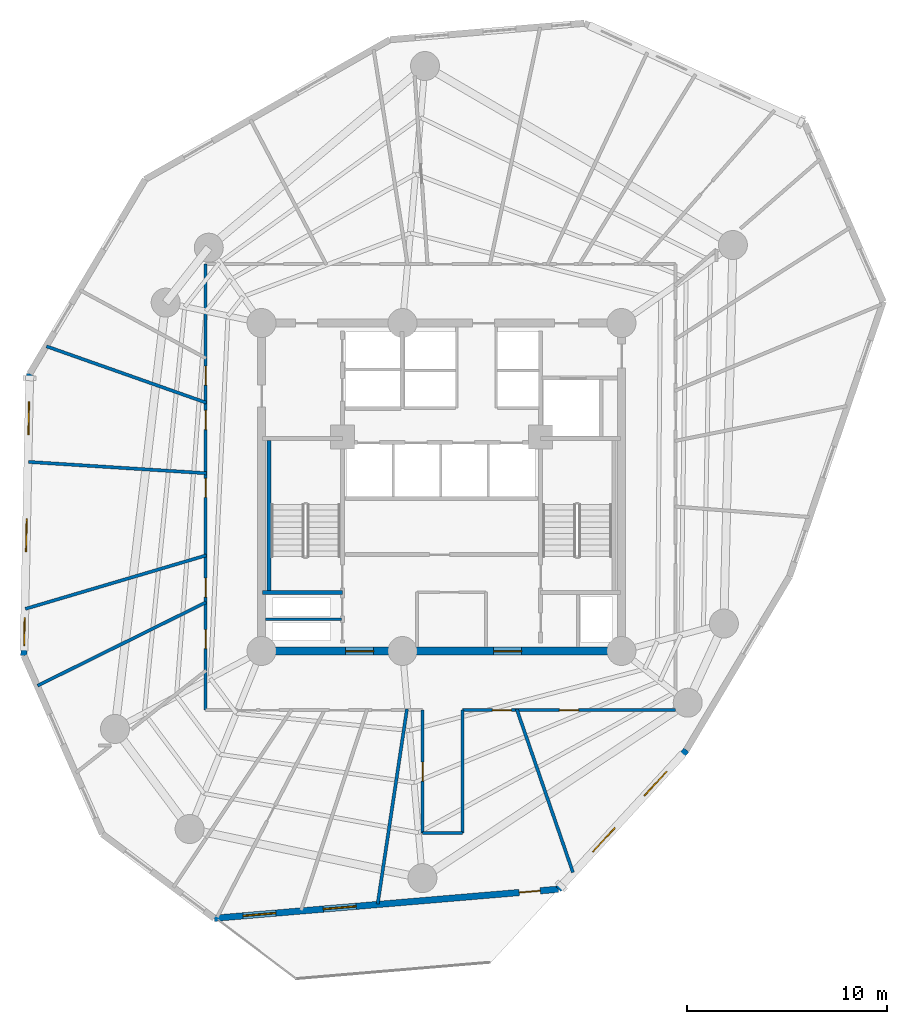
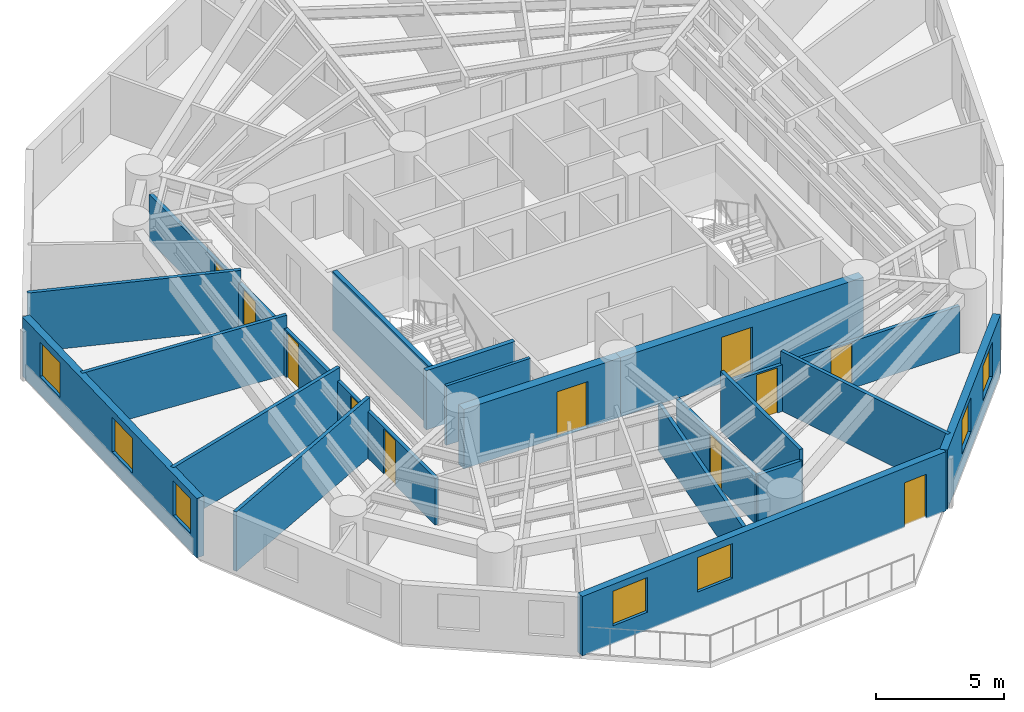
# One storey, part 3 of 10: 19 walls, 11 doors, 7 windows, 18 openings.
"""IFC4 building model written with IfcOpenShell, lengths in metres."""

from ifc_helpers import new_model, si_unit, direction, frame, frame_2d, origin, origin_with_axes, place, context, subcontext, project, spatial, rectangle, extrude, source, transform, mapped, material, layer, layer_set, type_object, element, fill, save


model = new_model("IFC4")

# Units and contexts
model_context = context("Model", 3, precision=1e-05, world=origin(), true_north=direction((0.0, 1.0)))
body_context = subcontext(model_context, "Body", "Model", "MODEL_VIEW")
ifc_project = project(units=[si_unit("LENGTHUNIT", "METRE"), si_unit("AREAUNIT", "SQUARE_METRE"), si_unit("VOLUMEUNIT", "CUBIC_METRE"), si_unit("PLANEANGLEUNIT", "RADIAN"), si_unit("MASSUNIT", "GRAM", prefix="KILO")], contexts=[model_context])

# Site, building, storey
site_placement = place(None, origin())
site = spatial("IfcSite", under=ifc_project, at=site_placement, CompositionType="ELEMENT")
building_placement = place(site_placement, origin())
building = spatial("IfcBuilding", under=site, at=building_placement, Name="Karkom Vertical University and Central Library", CompositionType="ELEMENT")
storey_placement = place(building_placement, frame((0.0, 0.0, 111.449951171875)))
storey = spatial("IfcBuildingStorey", under=building, at=storey_placement, Name="L30", CompositionType="ELEMENT", Elevation=111.449951171875)

# Wall, openings, windows
ifc_material_1 = material(Name="Brick-faced precast concrete C45/55", Category="masonry")
ifc_layer_1 = layer(ifc_material_1, 0.320068359375)
ifc_layer_set_1 = layer_set([ifc_layer_1], Name="Brick-faced precast concrete C45/55")
wall_type_1 = type_object("IfcWallType", Name="ENV-WL-BRK-320", PredefinedType="SOLIDWALL", material=ifc_layer_set_1)
wall_1_placement = place(storey_placement, frame((7.905517578125, 32.163818359375, 0.0), z_axis=(0.0, 0.0, 1.0), x_axis=(-0.020343518734, -0.999793049208, 0.0)))
wall_1 = element("IfcWall", 1, at=wall_1_placement, inside=storey, type_object=wall_type_1, Name="Level 30 Brick-Faced Precast Facade Wall 01", PredefinedType="SOLIDWALL", context=body_context, shape_type="SweptSolid", body=[
    extrude(rectangle(XDim=14.10107421875, YDim=0.320068359375, at=frame_2d((7.050537109375, 0.0))), origin(), (0.0, 0.0, 1.0), 2.824951171875),
])
opening_1_placement = place(wall_1_placement, frame((1.41015625, 0.0, 0.85009765625)))
opening_1 = element("IfcOpeningElement", 2, at=opening_1_placement, cuts=wall_1, Name="Opening WN-06", PredefinedType="OPENING", context=body_context, shape_type="SweptSolid", body=[
    extrude(rectangle(XDim=1.64990234375, YDim=1.64990234375, at=frame_2d((0.824951171875, 0.824951171875))), frame((0.0, 0.169921875, 0.0), z_axis=(0.0, -1.0, 0.0), x_axis=(1.0, 0.0, 0.0)), (0.0, 0.0, 1.0), 0.340087890625),
])
opening_2_placement = place(wall_1_placement, frame((7.25341796875, 0.0, 0.85009765625)))
opening_2 = element("IfcOpeningElement", 3, at=opening_2_placement, cuts=wall_1, Name="Opening WN-06", PredefinedType="OPENING", context=body_context, shape_type="SweptSolid", body=[
    extrude(rectangle(XDim=1.64990234375, YDim=1.64990234375, at=frame_2d((0.824951171875, 0.824951171875))), frame((0.0, 0.169921875, 0.0), z_axis=(0.0, -1.0, 0.0), x_axis=(1.0, 0.0, 0.0)), (0.0, 0.0, 1.0), 0.340087890625),
])
opening_3_placement = place(wall_1_placement, frame((12.193603515625, 0.0, 0.85009765625)))
opening_3 = element("IfcOpeningElement", 4, at=opening_3_placement, cuts=wall_1, Name="Opening WN-07", PredefinedType="OPENING", context=body_context, shape_type="SweptSolid", body=[
    extrude(rectangle(XDim=1.39990234375, YDim=1.64990234375, at=frame_2d((0.699951171875, 0.824951171875))), frame((0.0, 0.169921875, 0.0), z_axis=(0.0, -1.0, 0.0), x_axis=(1.0, 0.0, 0.0)), (0.0, 0.0, 1.0), 0.340087890625),
])
ifc_material_2 = material(Name="Aluminium thermal-break frame with solar-control IGU", Category="aluminium")
window_type_1 = type_object("IfcWindowType", Name="ENV-WIN-WN-06", PartitioningType="SINGLE_PANEL", PredefinedType="WINDOW", material=ifc_material_2)
shared_shape_1 = source(origin_with_axes(), body_context, "Body", "SweptSolid", [
    extrude(rectangle(XDim=1.64990234375, YDim=1.64990234375, at=frame_2d((0.824951171875, 0.824951171875))), frame((0.0, 0.030029296875, 0.0), z_axis=(0.0, -1.0, 0.0), x_axis=(1.0, 0.0, 0.0)), (0.0, 0.0, 1.0), 0.06005859375),
])
window_1_placement = place(opening_1_placement, origin())
window_1 = element("IfcWindow", 5, at=window_1_placement, inside=storey, type_object=window_type_1, Name="Level 30 Punched Window 1.1", OverallHeight=1.64990234375, OverallWidth=1.64990234375, PartitioningType="SINGLE_PANEL", PredefinedType="WINDOW", context=body_context, shape_type="MappedRepresentation", body=[
    mapped(shared_shape_1, transform((0.0, 0.0, 0.0), scale=1.0)),
])
fill(opening_1, window_1)
window_2_placement = place(opening_2_placement, origin())
window_2 = element("IfcWindow", 6, at=window_2_placement, inside=storey, type_object=window_type_1, Name="Level 30 Punched Window 1.2", OverallHeight=1.64990234375, OverallWidth=1.64990234375, PartitioningType="SINGLE_PANEL", PredefinedType="WINDOW", context=body_context, shape_type="MappedRepresentation", body=[
    mapped(shared_shape_1, transform((0.0, 0.0, 0.0), scale=1.0)),
])
fill(opening_2, window_2)
window_type_2 = type_object("IfcWindowType", Name="ENV-WIN-WN-07", PartitioningType="SINGLE_PANEL", PredefinedType="WINDOW", material=ifc_material_2)
shared_shape_2 = source(origin_with_axes(), body_context, "Body", "SweptSolid", [
    extrude(rectangle(XDim=1.39990234375, YDim=1.64990234375, at=frame_2d((0.699951171875, 0.824951171875))), frame((0.0, 0.030029296875, 0.0), z_axis=(0.0, -1.0, 0.0), x_axis=(1.0, 0.0, 0.0)), (0.0, 0.0, 1.0), 0.06005859375),
])
window_3_placement = place(opening_3_placement, origin())
window_3 = element("IfcWindow", 7, at=window_3_placement, inside=storey, type_object=window_type_2, Name="Level 30 Punched Window 1.3", OverallHeight=1.64990234375, OverallWidth=1.39990234375, PartitioningType="SINGLE_PANEL", PredefinedType="WINDOW", context=body_context, shape_type="MappedRepresentation", body=[
    mapped(shared_shape_2, transform((0.0, 0.0, 0.0), scale=1.0)),
])
fill(opening_3, window_3)

# Wall, openings, door, windows
wall_2_placement = place(storey_placement, frame((17.13427734375, 4.935302734375, 0.0), z_axis=(0.0, 0.0, 1.0), x_axis=(0.996451131553, 0.084173288083, 0.0)))
wall_2 = element("IfcWall", 8, at=wall_2_placement, inside=storey, type_object=wall_type_1, Name="Level 30 Brick-Faced Precast Facade Wall 04", PredefinedType="SOLIDWALL", context=body_context, shape_type="SweptSolid", body=[
    extrude(rectangle(XDim=17.269287109375, YDim=0.320068359375, at=frame_2d((8.634765625, 0.0))), origin(), (0.0, 0.0, 1.0), 2.824951171875),
])
opening_4_placement = place(wall_2_placement, frame((1.4462890625, 0.0, 0.85009765625)))
opening_4 = element("IfcOpeningElement", 9, at=opening_4_placement, cuts=wall_2, Name="Opening WN-06", PredefinedType="OPENING", context=body_context, shape_type="SweptSolid", body=[
    extrude(rectangle(XDim=1.64990234375, YDim=1.64990234375, at=frame_2d((0.824951171875, 0.824951171875))), frame((0.0, 0.169921875, 0.0), z_axis=(0.0, -1.0, 0.0), x_axis=(1.0, 0.0, 0.0)), (0.0, 0.0, 1.0), 0.340087890625),
])
opening_5_placement = place(wall_2_placement, frame((5.4697265625, 0.0, 0.85009765625)))
opening_5 = element("IfcOpeningElement", 10, at=opening_5_placement, cuts=wall_2, Name="Opening WN-06", PredefinedType="OPENING", context=body_context, shape_type="SweptSolid", body=[
    extrude(rectangle(XDim=1.64990234375, YDim=1.64990234375, at=frame_2d((0.824951171875, 0.824951171875))), frame((0.0, 0.169921875, 0.0), z_axis=(0.0, -1.0, 0.0), x_axis=(1.0, 0.0, 0.0)), (0.0, 0.0, 1.0), 0.340087890625),
])
opening_6_placement = place(wall_2_placement, frame((15.305419921875, 0.0, 0.0)))
opening_6 = element("IfcOpeningElement", 11, at=opening_6_placement, cuts=wall_2, Name="Opening TD-1", PredefinedType="OPENING", context=body_context, shape_type="SweptSolid", body=[
    extrude(rectangle(XDim=1.050048828125, YDim=2.1201171875, at=frame_2d((0.52490234375, 1.06005859375))), frame((0.0, 0.169921875, 0.0), z_axis=(0.0, -1.0, 0.0), x_axis=(1.0, 0.0, 0.0)), (0.0, 0.0, 1.0), 0.340087890625),
])
ifc_material_3 = material(Name="Thermally broken glazed aluminium terrace door", Category="aluminium")
door_type_1 = type_object("IfcDoorType", Name="ENV-DR-TERR", OperationType="NOTDEFINED", PredefinedType="DOOR", material=ifc_material_3)
shared_shape_3 = source(origin_with_axes(), body_context, "Body", "SweptSolid", [
    extrude(rectangle(XDim=1.050048828125, YDim=2.1201171875, at=frame_2d((0.52490234375, 1.06005859375))), frame((0.0, 0.02490234375, 0.0), z_axis=(0.0, -1.0, 0.0), x_axis=(1.0, 0.0, 0.0)), (0.0, 0.0, 1.0), 0.050048828125),
])
door_1_placement = place(opening_6_placement, origin())
door_1 = element("IfcDoor", 12, at=door_1_placement, inside=storey, type_object=door_type_1, Name="Level 30 Outdoor Terrace Access Door", OperationType="SINGLE_SWING_RIGHT", OverallHeight=2.1201171875, OverallWidth=1.050048828125, PredefinedType="DOOR", context=body_context, shape_type="MappedRepresentation", body=[
    mapped(shared_shape_3, transform((0.0, 0.0, 0.0), scale=1.0)),
])
fill(opening_6, door_1)
window_4_placement = place(opening_4_placement, origin())
window_4 = element("IfcWindow", 13, at=window_4_placement, inside=storey, type_object=window_type_1, Name="Level 30 Punched Window 4.1", OverallHeight=1.64990234375, OverallWidth=1.64990234375, PartitioningType="SINGLE_PANEL", PredefinedType="WINDOW", context=body_context, shape_type="MappedRepresentation", body=[
    mapped(shared_shape_1, transform((0.0, 0.0, 0.0), scale=1.0)),
])
fill(opening_4, window_4)
window_5_placement = place(opening_5_placement, origin())
window_5 = element("IfcWindow", 14, at=window_5_placement, inside=storey, type_object=window_type_1, Name="Level 30 Punched Window 4.2", OverallHeight=1.64990234375, OverallWidth=1.64990234375, PartitioningType="SINGLE_PANEL", PredefinedType="WINDOW", context=body_context, shape_type="MappedRepresentation", body=[
    mapped(shared_shape_1, transform((0.0, 0.0, 0.0), scale=1.0)),
])
fill(opening_5, window_5)

# Wall, openings, windows
wall_3_placement = place(storey_placement, frame((34.34228515625, 6.388916015625, 0.0), z_axis=(0.0, 0.0, 1.0), x_axis=(0.677119694004, 0.735872896628, 0.0)))
wall_3 = element("IfcWall", 15, at=wall_3_placement, inside=storey, type_object=wall_type_1, Name="Level 30 Brick-Faced Precast Facade Wall 05", PredefinedType="SOLIDWALL", context=body_context, shape_type="SweptSolid", body=[
    extrude(rectangle(XDim=9.461669921875, YDim=0.320068359375, at=frame_2d((4.73095703125, 0.0))), origin(), (0.0, 0.0, 1.0), 2.824951171875),
])
opening_7_placement = place(wall_3_placement, frame((2.53271484375, 0.0, 0.85009765625)))
opening_7 = element("IfcOpeningElement", 16, at=opening_7_placement, cuts=wall_3, Name="Opening WN-06", PredefinedType="OPENING", context=body_context, shape_type="SweptSolid", body=[
    extrude(rectangle(XDim=1.64990234375, YDim=1.64990234375, at=frame_2d((0.824951171875, 0.824951171875))), frame((0.0, 0.169921875, 0.0), z_axis=(0.0, -1.0, 0.0), x_axis=(1.0, 0.0, 0.0)), (0.0, 0.0, 1.0), 0.340087890625),
])
opening_8_placement = place(wall_3_placement, frame((6.348876953125, 0.0, 0.85009765625)))
opening_8 = element("IfcOpeningElement", 17, at=opening_8_placement, cuts=wall_3, Name="Opening WN-06", PredefinedType="OPENING", context=body_context, shape_type="SweptSolid", body=[
    extrude(rectangle(XDim=1.64990234375, YDim=1.64990234375, at=frame_2d((0.824951171875, 0.824951171875))), frame((0.0, 0.169921875, 0.0), z_axis=(0.0, -1.0, 0.0), x_axis=(1.0, 0.0, 0.0)), (0.0, 0.0, 1.0), 0.340087890625),
])
window_6_placement = place(opening_7_placement, origin())
window_6 = element("IfcWindow", 18, at=window_6_placement, inside=storey, type_object=window_type_1, Name="Level 30 Punched Window 5.1", OverallHeight=1.64990234375, OverallWidth=1.64990234375, PartitioningType="SINGLE_PANEL", PredefinedType="WINDOW", context=body_context, shape_type="MappedRepresentation", body=[
    mapped(shared_shape_1, transform((0.0, 0.0, 0.0), scale=1.0)),
])
fill(opening_7, window_6)
window_7_placement = place(opening_8_placement, origin())
window_7 = element("IfcWindow", 19, at=window_7_placement, inside=storey, type_object=window_type_1, Name="Level 30 Punched Window 5.2", OverallHeight=1.64990234375, OverallWidth=1.64990234375, PartitioningType="SINGLE_PANEL", PredefinedType="WINDOW", context=body_context, shape_type="MappedRepresentation", body=[
    mapped(shared_shape_1, transform((0.0, 0.0, 0.0), scale=1.0)),
])
fill(opening_8, window_7)

# Wall, openings, doors
ifc_material_4 = material(Name="Insulated metal-stud drywall 160mm", Category="gypsum")
ifc_layer_2 = layer(ifc_material_4, 0.159912109375)
ifc_layer_set_2 = layer_set([ifc_layer_2], Name="Insulated metal-stud drywall 160mm")
wall_type_2 = type_object("IfcWallType", Name="INT-WL-COR-160", PredefinedType="PARTITIONING", material=ifc_layer_set_2)
wall_4_placement = place(storey_placement, frame((16.699951171875, 15.35009765625, 0.0), z_axis=(0.0, 0.0, 1.0), x_axis=(0.0, 1.0, 0.0)))
wall_4 = element("IfcWall", 20, at=wall_4_placement, inside=storey, type_object=wall_type_2, Name="Level 30 Interior Partition Wall L30-CORW-CW-002", PredefinedType="PARTITIONING", context=body_context, shape_type="SweptSolid", body=[
    extrude(rectangle(XDim=22.2998046875, YDim=0.159912109375, at=frame_2d((11.14990234375, 0.0))), origin(), (0.0, 0.0, 1.0), 2.22509765625),
])
opening_9_placement = place(wall_4_placement, frame((10.635009765625, 0.0, 0.0)))
opening_9 = element("IfcOpeningElement", 21, at=opening_9_placement, cuts=wall_4, Name="Opening D-RM1", PredefinedType="OPENING", context=body_context, shape_type="SweptSolid", body=[
    extrude(rectangle(XDim=0.949951171875, YDim=2.14990234375, at=frame_2d((0.47509765625, 1.074951171875))), frame((0.0, 0.08984375, 0.0), z_axis=(0.0, -1.0, 0.0), x_axis=(1.0, 0.0, 0.0)), (0.0, 0.0, 1.0), 0.179931640625),
])
opening_10_placement = place(wall_4_placement, frame((5.639892578125, 0.0, 0.0)))
opening_10 = element("IfcOpeningElement", 22, at=opening_10_placement, cuts=wall_4, Name="Opening FD-RM2", PredefinedType="OPENING", context=body_context, shape_type="SweptSolid", body=[
    extrude(rectangle(XDim=0.9599609375, YDim=2.14990234375, at=frame_2d((0.47998046875, 1.074951171875))), frame((0.0, 0.08984375, 0.0), z_axis=(0.0, -1.0, 0.0), x_axis=(1.0, 0.0, 0.0)), (0.0, 0.0, 1.0), 0.179931640625),
])
opening_11_placement = place(wall_4_placement, frame((3.07080078125, 0.0, 0.0)))
opening_11 = element("IfcOpeningElement", 23, at=opening_11_placement, cuts=wall_4, Name="Opening D-RM1", PredefinedType="OPENING", context=body_context, shape_type="SweptSolid", body=[
    extrude(rectangle(XDim=0.949951171875, YDim=2.14990234375, at=frame_2d((0.47509765625, 1.074951171875))), frame((0.0, 0.08984375, 0.0), z_axis=(0.0, -1.0, 0.0), x_axis=(1.0, 0.0, 0.0)), (0.0, 0.0, 1.0), 0.179931640625),
])
opening_12_placement = place(wall_4_placement, frame((16.25, 0.0, 0.0)))
opening_12 = element("IfcOpeningElement", 24, at=opening_12_placement, cuts=wall_4, Name="Opening D-RM1", PredefinedType="OPENING", context=body_context, shape_type="SweptSolid", body=[
    extrude(rectangle(XDim=0.949951171875, YDim=2.14990234375, at=frame_2d((0.47509765625, 1.074951171875))), frame((0.0, 0.08984375, 0.0), z_axis=(0.0, -1.0, 0.0), x_axis=(1.0, 0.0, 0.0)), (0.0, 0.0, 1.0), 0.179931640625),
])
opening_13_placement = place(wall_4_placement, frame((14.02001953125, 0.0, 0.0)))
opening_13 = element("IfcOpeningElement", 25, at=opening_13_placement, cuts=wall_4, Name="Opening FD-RM2", PredefinedType="OPENING", context=body_context, shape_type="SweptSolid", body=[
    extrude(rectangle(XDim=0.9599609375, YDim=2.14990234375, at=frame_2d((0.47998046875, 1.074951171875))), frame((0.0, 0.08984375, 0.0), z_axis=(0.0, -1.0, 0.0), x_axis=(1.0, 0.0, 0.0)), (0.0, 0.0, 1.0), 0.179931640625),
])
ifc_material_5 = material(Name="Fire-rated oak veneer door", Category="wood")
door_type_2 = type_object("IfcDoorType", Name="INT-DR-FRM2", OperationType="NOTDEFINED", PredefinedType="DOOR", material=ifc_material_5)
shared_shape_4 = source(origin_with_axes(), body_context, "Body", "SweptSolid", [
    extrude(rectangle(XDim=0.9599609375, YDim=2.14990234375, at=frame_2d((0.47998046875, 1.074951171875))), frame((0.0, 0.02490234375, 0.0), z_axis=(0.0, -1.0, 0.0), x_axis=(1.0, 0.0, 0.0)), (0.0, 0.0, 1.0), 0.050048828125),
])
door_2_placement = place(opening_10_placement, origin())
door_2 = element("IfcDoor", 26, at=door_2_placement, inside=storey, type_object=door_type_2, Name="Level 30 Room Entry Door 010", OperationType="SINGLE_SWING_RIGHT", OverallHeight=2.14990234375, OverallWidth=0.9599609375, PredefinedType="DOOR", context=body_context, shape_type="MappedRepresentation", body=[
    mapped(shared_shape_4, transform((0.0, 0.0, 0.0), scale=1.0)),
])
fill(opening_10, door_2)
door_3_placement = place(opening_13_placement, origin())
door_3 = element("IfcDoor", 27, at=door_3_placement, inside=storey, type_object=door_type_2, Name="Level 30 Room Entry Door 240", OperationType="SINGLE_SWING_RIGHT", OverallHeight=2.14990234375, OverallWidth=0.9599609375, PredefinedType="DOOR", context=body_context, shape_type="MappedRepresentation", body=[
    mapped(shared_shape_4, transform((0.0, 0.0, 0.0), scale=1.0)),
])
fill(opening_13, door_3)
ifc_material_6 = material(Name="Solid-core oak veneer door", Category="wood")
door_type_3 = type_object("IfcDoorType", Name="INT-DR-RM1", OperationType="NOTDEFINED", PredefinedType="DOOR", material=ifc_material_6)
shared_shape_5 = source(origin_with_axes(), body_context, "Body", "SweptSolid", [
    extrude(rectangle(XDim=0.949951171875, YDim=2.14990234375, at=frame_2d((0.47509765625, 1.074951171875))), frame((0.0, 0.02490234375, 0.0), z_axis=(0.0, -1.0, 0.0), x_axis=(1.0, 0.0, 0.0)), (0.0, 0.0, 1.0), 0.050048828125),
])
door_4_placement = place(opening_9_placement, origin())
door_4 = element("IfcDoor", 28, at=door_4_placement, inside=storey, type_object=door_type_3, Name="Level 30 Room Entry Door 000", OperationType="SINGLE_SWING_LEFT", OverallHeight=2.14990234375, OverallWidth=0.949951171875, PredefinedType="DOOR", context=body_context, shape_type="MappedRepresentation", body=[
    mapped(shared_shape_5, transform((0.0, 0.0, 0.0), scale=1.0)),
])
fill(opening_9, door_4)
door_5_placement = place(opening_11_placement, origin())
door_5 = element("IfcDoor", 29, at=door_5_placement, inside=storey, type_object=door_type_3, Name="Level 30 Room Entry Door 020", OperationType="SINGLE_SWING_LEFT", OverallHeight=2.14990234375, OverallWidth=0.949951171875, PredefinedType="DOOR", context=body_context, shape_type="MappedRepresentation", body=[
    mapped(shared_shape_5, transform((0.0, 0.0, 0.0), scale=1.0)),
])
fill(opening_11, door_5)
door_6_placement = place(opening_12_placement, origin())
door_6 = element("IfcDoor", 30, at=door_6_placement, inside=storey, type_object=door_type_3, Name="Level 30 Room Entry Door 230", OperationType="SINGLE_SWING_LEFT", OverallHeight=2.14990234375, OverallWidth=0.949951171875, PredefinedType="DOOR", context=body_context, shape_type="MappedRepresentation", body=[
    mapped(shared_shape_5, transform((0.0, 0.0, 0.0), scale=1.0)),
])
fill(opening_12, door_6)

wall_5_placement = place(storey_placement, frame((40.199951171875, 15.35009765625, 0.0), z_axis=(0.0, 0.0, 1.0), x_axis=(-1.0, 0.0, 0.0)))
wall_5 = element("IfcWall", 31, at=wall_5_placement, inside=storey, type_object=wall_type_2, Name="Level 30 Interior Partition Wall L30-CORW-CW-005", PredefinedType="PARTITIONING", context=body_context, shape_type="SweptSolid", body=[
    extrude(rectangle(XDim=10.64990234375, YDim=0.159912109375, at=frame_2d((5.324951171875, 0.0))), origin(), (0.0, 0.0, 1.0), 2.22509765625),
])
opening_14_placement = place(wall_5_placement, frame((8.202392578125, 0.0, 0.0)))
opening_14 = element("IfcOpeningElement", 32, at=opening_14_placement, cuts=wall_5, Name="Opening D-RM1", PredefinedType="OPENING", context=body_context, shape_type="SweptSolid", body=[
    extrude(rectangle(XDim=0.949951171875, YDim=2.14990234375, at=frame_2d((0.47509765625, 1.074951171875))), frame((0.0, 0.08984375, 0.0), z_axis=(0.0, -1.0, 0.0), x_axis=(1.0, 0.0, 0.0)), (0.0, 0.0, 1.0), 0.179931640625),
])
opening_15_placement = place(wall_5_placement, frame((4.85009765625, 0.0, 0.0)))
opening_15 = element("IfcOpeningElement", 33, at=opening_15_placement, cuts=wall_5, Name="Opening FD-RM2", PredefinedType="OPENING", context=body_context, shape_type="SweptSolid", body=[
    extrude(rectangle(XDim=0.9599609375, YDim=2.14990234375, at=frame_2d((0.47998046875, 1.074951171875))), frame((0.0, 0.08984375, 0.0), z_axis=(0.0, -1.0, 0.0), x_axis=(1.0, 0.0, 0.0)), (0.0, 0.0, 1.0), 0.179931640625),
])
door_7_placement = place(opening_15_placement, origin())
door_7 = element("IfcDoor", 34, at=door_7_placement, inside=storey, type_object=door_type_2, Name="Level 30 Room Entry Door 090", OperationType="SINGLE_SWING_RIGHT", OverallHeight=2.14990234375, OverallWidth=0.9599609375, PredefinedType="DOOR", context=body_context, shape_type="MappedRepresentation", body=[
    mapped(shared_shape_4, transform((0.0, 0.0, 0.0), scale=1.0)),
])
fill(opening_15, door_7)
door_8_placement = place(opening_14_placement, origin())
door_8 = element("IfcDoor", 35, at=door_8_placement, inside=storey, type_object=door_type_3, Name="Level 30 Room Entry Door 080", OperationType="SINGLE_SWING_LEFT", OverallHeight=2.14990234375, OverallWidth=0.949951171875, PredefinedType="DOOR", context=body_context, shape_type="MappedRepresentation", body=[
    mapped(shared_shape_5, transform((0.0, 0.0, 0.0), scale=1.0)),
])
fill(opening_14, door_8)

# Walls
wall_6_placement = place(storey_placement, frame((26.771484375, 15.39453125, 0.0), z_axis=(0.0, 0.0, 1.0), x_axis=(-0.148499207079, -0.988912526717, 0.0)))
element("IfcWall", 36, at=wall_6_placement, inside=storey, type_object=wall_type_2, Name="Level 30 Interior Partition Wall L30-PW-011", PredefinedType="PARTITIONING", context=body_context, shape_type="SweptSolid", body=[
    extrude(rectangle(XDim=9.85107421875, YDim=0.159912109375, at=frame_2d((4.925537109375, 0.0))), origin(), (0.0, 0.0, 1.0), 2.22509765625),
])
wall_7_placement = place(storey_placement, frame((16.7431640625, 23.085205078125, 0.0), z_axis=(0.0, 0.0, 1.0), x_axis=(-0.958924344343, -0.283661949908, 0.0)))
element("IfcWall", 37, at=wall_7_placement, inside=storey, type_object=wall_type_2, Name="Level 30 Interior Partition Wall L30-PW-001", PredefinedType="PARTITIONING", context=body_context, shape_type="SweptSolid", body=[
    extrude(rectangle(XDim=9.4365234375, YDim=0.159912109375, at=frame_2d((4.71826171875, 0.0))), origin(), (0.0, 0.0, 1.0), 2.824951171875),
])
wall_8_placement = place(storey_placement, frame((16.726806640625, 20.73779296875, 0.0), z_axis=(0.0, 0.0, 1.0), x_axis=(-0.89615060854, -0.443750027396, 0.0)))
element("IfcWall", 38, at=wall_8_placement, inside=storey, type_object=wall_type_2, Name="Level 30 Interior Partition Wall L30-PW-003", PredefinedType="PARTITIONING", context=body_context, shape_type="SweptSolid", body=[
    extrude(rectangle(XDim=9.398193359375, YDim=0.159912109375, at=frame_2d((4.69921875, 0.0))), origin(), (0.0, 0.0, 1.0), 2.824951171875),
])
wall_9_placement = place(storey_placement, frame((7.8408203125, 27.75537109375, 0.0), z_axis=(0.0, 0.0, 1.0), x_axis=(0.997979506353, -0.063536642184, 0.0)))
element("IfcWall", 39, at=wall_9_placement, inside=storey, type_object=wall_type_2, Name="Level 30 Interior Partition Wall L30-PW-002", PredefinedType="PARTITIONING", context=body_context, shape_type="SweptSolid", body=[
    extrude(rectangle(XDim=8.92236328125, YDim=0.159912109375, at=frame_2d((4.461181640625, 0.0))), origin(), (0.0, 0.0, 1.0), 2.824951171875),
])
wall_10_placement = place(storey_placement, frame((32.260986328125, 15.392578125, 0.0), z_axis=(0.0, 0.0, 1.0), x_axis=(0.325587130811, -0.945512041304, 0.0)))
element("IfcWall", 40, at=wall_10_placement, inside=storey, type_object=wall_type_2, Name="Level 30 Interior Partition Wall L30-PW-014", PredefinedType="PARTITIONING", context=body_context, shape_type="SweptSolid", body=[
    extrude(rectangle(XDim=8.633056640625, YDim=0.159912109375, at=frame_2d((4.31640625, 0.0))), origin(), (0.0, 0.0, 1.0), 2.824951171875),
])
wall_11_placement = place(storey_placement, frame((16.742431640625, 30.712890625, 0.0), z_axis=(0.0, 0.0, 1.0), x_axis=(-0.942995651182, 0.33280505082, 0.0)))
element("IfcWall", 41, at=wall_11_placement, inside=storey, type_object=wall_type_2, Name="Level 30 Interior Partition Wall L30-PW-030", PredefinedType="PARTITIONING", context=body_context, shape_type="SweptSolid", body=[
    extrude(rectangle(XDim=8.475830078125, YDim=0.159912109375, at=frame_2d((4.23779296875, 0.0))), origin(), (0.0, 0.0, 1.0), 2.824951171875),
])
wall_12_placement = place(storey_placement, frame((29.550048828125, 15.35009765625, 0.0), z_axis=(0.0, 0.0, 1.0), x_axis=(0.0, -1.0, 0.0)))
element("IfcWall", 42, at=wall_12_placement, inside=storey, type_object=wall_type_2, Name="Level 30 Interior Partition Wall L30-CORW-CW-006", PredefinedType="PARTITIONING", context=body_context, shape_type="SweptSolid", body=[
    extrude(rectangle(XDim=6.150146484375, YDim=0.159912109375, at=frame_2d((3.0751953125, 0.0))), origin(), (0.0, 0.0, 1.0), 2.824951171875),
])

# Wall, opening, door
wall_13_placement = place(storey_placement, frame((27.550048828125, 9.199951171875, 0.0), z_axis=(0.0, 0.0, 1.0), x_axis=(0.0, 1.0, 0.0)))
wall_13 = element("IfcWall", 43, at=wall_13_placement, inside=storey, type_object=wall_type_2, Name="Level 30 Interior Partition Wall L30-CORW-CW-008", PredefinedType="PARTITIONING", context=body_context, shape_type="SweptSolid", body=[
    extrude(rectangle(XDim=6.150146484375, YDim=0.159912109375, at=frame_2d((3.0751953125, 0.0))), origin(), (0.0, 0.0, 1.0), 2.22509765625),
])
opening_16_placement = place(wall_13_placement, frame((2.60009765625, 0.0, 0.0)))
opening_16 = element("IfcOpeningElement", 44, at=opening_16_placement, cuts=wall_13, Name="Opening D-RM1", PredefinedType="OPENING", context=body_context, shape_type="SweptSolid", body=[
    extrude(rectangle(XDim=0.949951171875, YDim=2.14990234375, at=frame_2d((0.47509765625, 1.074951171875))), frame((0.0, 0.08984375, 0.0), z_axis=(0.0, -1.0, 0.0), x_axis=(1.0, 0.0, 0.0)), (0.0, 0.0, 1.0), 0.179931640625),
])
door_9_placement = place(opening_16_placement, origin())
door_9 = element("IfcDoor", 45, at=door_9_placement, inside=storey, type_object=door_type_3, Name="Level 30 Room Entry Door 070", OperationType="SINGLE_SWING_RIGHT", OverallHeight=2.14990234375, OverallWidth=0.949951171875, PredefinedType="DOOR", context=body_context, shape_type="MappedRepresentation", body=[
    mapped(shared_shape_5, transform((0.0, 0.0, 0.0), scale=1.0)),
])
fill(opening_16, door_9)

# Walls
wall_14_placement = place(storey_placement, frame((29.550048828125, 9.199951171875, 0.0), z_axis=(0.0, 0.0, 1.0), x_axis=(-1.0, 0.0, 0.0)))
element("IfcWall", 46, at=wall_14_placement, inside=storey, type_object=wall_type_2, Name="Level 30 Interior Partition Wall L30-CORW-CW-007", PredefinedType="PARTITIONING", context=body_context, shape_type="SweptSolid", body=[
    extrude(rectangle(XDim=2.0, YDim=0.159912109375, at=frame_2d((1.0, 0.0))), origin(), (0.0, 0.0, 1.0), 2.324951171875),
])
ifc_material_7 = material(Name="Metal-stud gypsum partition 140mm", Category="gypsum")
ifc_layer_3 = layer(ifc_material_7, 0.139892578125)
ifc_layer_set_3 = layer_set([ifc_layer_3], Name="Metal-stud gypsum partition 140mm")
wall_type_3 = type_object("IfcWallType", Name="INT-WL-SUB-140H", PredefinedType="PARTITIONING", material=ifc_layer_set_3)
wall_15_placement = place(storey_placement, frame((19.70703125, 19.889892578125, 0.0), z_axis=(0.0, 0.0, 1.0), x_axis=(1.0, 0.0, 0.0)))
element("IfcWall", 47, at=wall_15_placement, inside=storey, type_object=wall_type_3, Name="Level 30 Interior Partition Wall L30-CW-RIS-W", PredefinedType="PARTITIONING", context=body_context, shape_type="SweptSolid", body=[
    extrude(rectangle(XDim=3.789794921875, YDim=0.139892578125, at=frame_2d((1.89501953125, 0.0))), origin(), (0.0, 0.0, 1.0), 2.824951171875),
])

# Wall, opening, door
ifc_material_8 = material(Name="Concrete C50/60", Category="concrete")
ifc_layer_4 = layer(ifc_material_8, 0.39990234375)
ifc_layer_set_4 = layer_set([ifc_layer_4], Name="Concrete C50/60")
wall_type_4 = type_object("IfcWallType", Name="STR-WL-CW-400", PredefinedType="SHEAR", material=ifc_layer_set_4)
wall_16_placement = place(storey_placement, frame((19.5, 18.300048828125, 0.0), z_axis=(0.0, 0.0, 1.0), x_axis=(1.0, 0.0, 0.0)))
wall_16 = element("IfcWall", 48, at=wall_16_placement, inside=storey, type_object=wall_type_4, Name="Level 30 Central Core Shear Wall SW1", PredefinedType="SHEAR", context=body_context, shape_type="SweptSolid", body=[
    extrude(rectangle(XDim=7.050048828125, YDim=0.39990234375, at=frame_2d((3.52490234375, 0.0))), origin(), (0.0, 0.0, 1.0), 2.824951171875),
])
opening_17_placement = place(wall_16_placement, frame((4.199951171875, 0.0, 0.0)))
opening_17 = element("IfcOpeningElement", 49, at=opening_17_placement, cuts=wall_16, Name="Opening FD-CLB", PredefinedType="OPENING", context=body_context, shape_type="SweptSolid", body=[
    extrude(rectangle(XDim=1.39990234375, YDim=2.199951171875, at=frame_2d((0.699951171875, 1.10009765625))), frame((0.0, 0.2099609375, 0.0), z_axis=(0.0, -1.0, 0.0), x_axis=(1.0, 0.0, 0.0)), (0.0, 0.0, 1.0), 0.419921875),
])
ifc_material_9 = material(Name="Painted steel fire door", Category="steel")
door_type_4 = type_object("IfcDoorType", Name="INT-DR-CLB", OperationType="DOUBLE_DOOR_SINGLE_SWING", PredefinedType="DOOR", material=ifc_material_9)
shared_shape_6 = source(origin_with_axes(), body_context, "Body", "SweptSolid", [
    extrude(rectangle(XDim=1.39990234375, YDim=2.199951171875, at=frame_2d((0.699951171875, 1.10009765625))), frame((0.0, 0.02490234375, 0.0), z_axis=(0.0, -1.0, 0.0), x_axis=(1.0, 0.0, 0.0)), (0.0, 0.0, 1.0), 0.050048828125),
])
door_10_placement = place(opening_17_placement, origin())
door_10 = element("IfcDoor", 50, at=door_10_placement, inside=storey, type_object=door_type_4, Name="Level 30 South Core Lobby West Exit Door", OperationType="DOUBLE_DOOR_SINGLE_SWING", OverallHeight=2.199951171875, OverallWidth=1.39990234375, PredefinedType="DOOR", context=body_context, shape_type="MappedRepresentation", body=[
    mapped(shared_shape_6, transform((0.0, 0.0, 0.0), scale=1.0)),
])
fill(opening_17, door_10)

wall_17_placement = place(storey_placement, frame((26.550048828125, 18.300048828125, 0.0), z_axis=(0.0, 0.0, 1.0), x_axis=(1.0, 0.0, 0.0)))
wall_17 = element("IfcWall", 51, at=wall_17_placement, inside=storey, type_object=wall_type_4, Name="Level 30 Central Core Shear Wall SW2", PredefinedType="SHEAR", context=body_context, shape_type="SweptSolid", body=[
    extrude(rectangle(XDim=10.949951171875, YDim=0.39990234375, at=frame_2d((5.47509765625, 0.0))), origin(), (0.0, 0.0, 1.0), 2.824951171875),
])
opening_18_placement = place(wall_17_placement, frame((4.550048828125, 0.0, 0.0)))
opening_18 = element("IfcOpeningElement", 52, at=opening_18_placement, cuts=wall_17, Name="Opening FD-CLB", PredefinedType="OPENING", context=body_context, shape_type="SweptSolid", body=[
    extrude(rectangle(XDim=1.39990234375, YDim=2.199951171875, at=frame_2d((0.699951171875, 1.10009765625))), frame((0.0, 0.2099609375, 0.0), z_axis=(0.0, -1.0, 0.0), x_axis=(1.0, 0.0, 0.0)), (0.0, 0.0, 1.0), 0.419921875),
])
door_11_placement = place(opening_18_placement, origin())
door_11 = element("IfcDoor", 53, at=door_11_placement, inside=storey, type_object=door_type_4, Name="Level 30 South Core Lobby East Exit Door", OperationType="DOUBLE_DOOR_SINGLE_SWING", OverallHeight=2.199951171875, OverallWidth=1.39990234375, PredefinedType="DOOR", context=body_context, shape_type="MappedRepresentation", body=[
    mapped(shared_shape_6, transform((0.0, 0.0, 0.0), scale=1.0)),
])
fill(opening_18, door_11)

# Walls
ifc_material_10 = material(Name="Concrete C45/55", Category="concrete")
ifc_layer_5 = layer(ifc_material_10, 0.199951171875)
ifc_layer_set_5 = layer_set([ifc_layer_5], Name="Concrete C45/55")
wall_type_5 = type_object("IfcWallType", Name="STR-WL-ST-200", PredefinedType="SHEAR", material=ifc_layer_set_5)
wall_18_placement = place(storey_placement, frame((19.875, 21.320068359375, 0.0), z_axis=(0.0, 0.0, 1.0), x_axis=(0.0, 1.0, 0.0)))
element("IfcWall", 54, at=wall_18_placement, inside=storey, type_object=wall_type_5, Name="Level 30 Core Shaft Wall L30-CW-ST1-W", PredefinedType="SHEAR", context=body_context, shape_type="SweptSolid", body=[
    extrude(rectangle(XDim=7.5, YDim=0.199951171875, at=frame_2d((3.75, 0.0))), origin(), (0.0, 0.0, 1.0), 2.824951171875),
])
wall_19_placement = place(storey_placement, frame((19.550048828125, 21.215087890625, 0.0), z_axis=(0.0, 0.0, 1.0), x_axis=(1.0, 0.0, 0.0)))
element("IfcWall", 55, at=wall_19_placement, inside=storey, type_object=wall_type_5, Name="Level 30 Core Shaft Wall L30-CW-ST1-S", PredefinedType="SHEAR", context=body_context, shape_type="SweptSolid", body=[
    extrude(rectangle(XDim=3.994873046875, YDim=0.199951171875, at=frame_2d((1.99755859375, 0.0))), origin(), (0.0, 0.0, 1.0), 2.824951171875),
])

save(model, "model.ifc")
